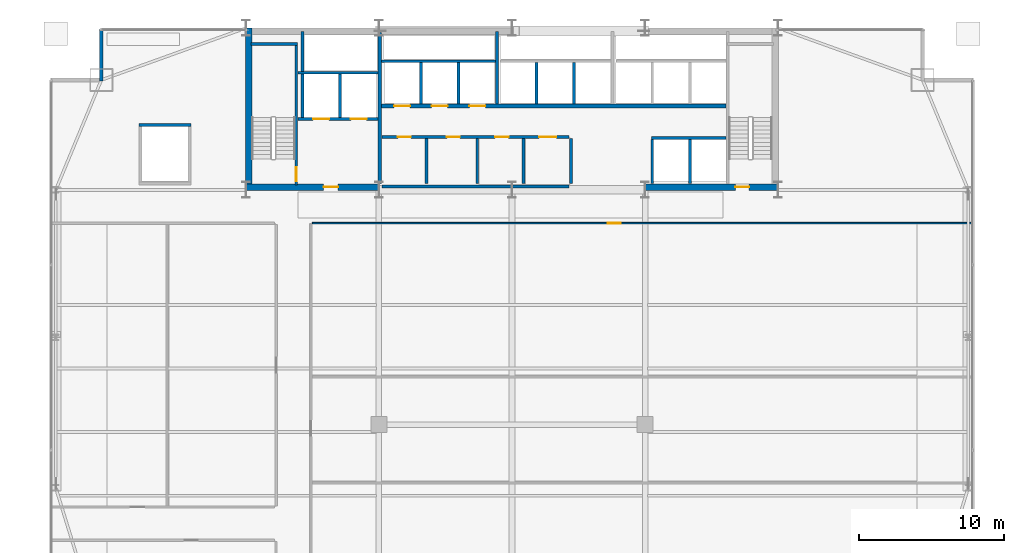
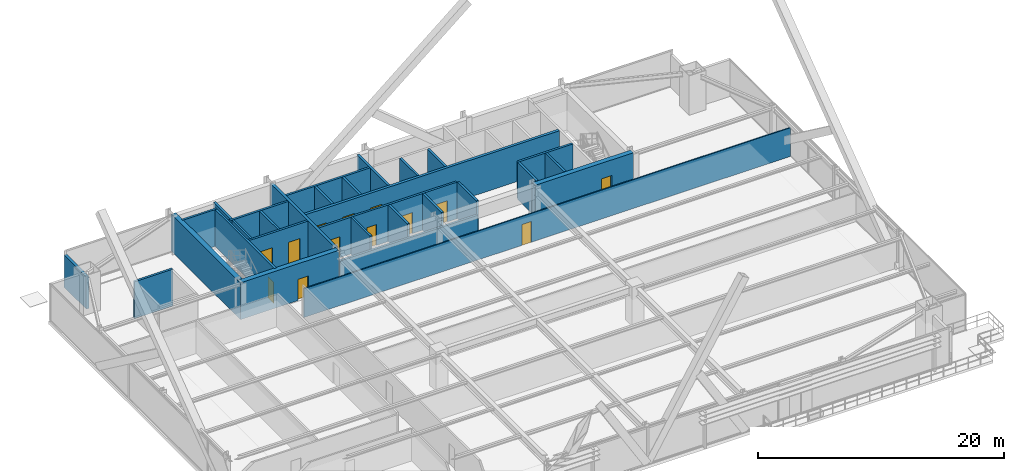
# One storey, part 30 of 34: 29 walls, 13 doors, 13 openings.
"""IFC4 building model written with IfcOpenShell, lengths in metres."""

from ifc_helpers import new_model, si_unit, direction, frame, frame_2d, origin, place, context, subcontext, project, spatial, rectangle, extrude, source, transform, mapped, material, layer, layer_set, type_object, type_shapes, element, fill, save


model = new_model("IFC4")

# Units and contexts
model_context = context("Model", 3, precision=1e-05, world=origin(), true_north=direction((0.0, 1.0)))
body_context = subcontext(model_context, "Body", "Model", "MODEL_VIEW")
ifc_project = project(units=[si_unit("LENGTHUNIT", "METRE"), si_unit("AREAUNIT", "SQUARE_METRE"), si_unit("VOLUMEUNIT", "CUBIC_METRE"), si_unit("PLANEANGLEUNIT", "RADIAN"), si_unit("MASSUNIT", "GRAM", prefix="KILO")], contexts=[model_context])

# Site, building, storey
site_placement = place(None, origin())
site = spatial("IfcSite", under=ifc_project, at=site_placement, CompositionType="ELEMENT")
building_placement = place(site_placement, origin())
building = spatial("IfcBuilding", under=site, at=building_placement, Name="Varnel Quay Broadcast Tower", CompositionType="ELEMENT")
storey_placement = place(building_placement, frame((0.0, 0.0, 27.60009765625)))
storey = spatial("IfcBuildingStorey", under=building, at=storey_placement, Name="L05", CompositionType="ELEMENT", Elevation=27.60009765625)

# Wall, opening, door
ifc_material_1 = material(Name="Concrete CSA A23.3 C50/60", Category="concrete")
ifc_layer_1 = layer(ifc_material_1, 0.199951171875, Name="Concrete CSA A23.3 C50/60")
ifc_layer_set_1 = layer_set([ifc_layer_1], Name="Concrete CSA A23.3 C50/60")
wall_type_1 = type_object("IfcWallType", Name="Wall_CoreShaftShear200", PredefinedType="SHEAR", material=ifc_layer_set_1)
wall_1_placement = place(storey_placement, frame((19.080078125, 35.949951171875, 0.0), z_axis=(0.0, 0.0, 1.0), x_axis=(0.0, 1.0, 0.0)))
wall_1 = element("IfcWall", 1, at=wall_1_placement, inside=storey, type_object=wall_type_1, Name="L05 Stair 1 East Structural Wall", PredefinedType="SHEAR", context=body_context, shape_type="SweptSolid", body=[
    extrude(rectangle(XDim=9.650146484375, YDim=0.199951171875, at=frame_2d((4.8251953125, 0.0))), origin(), (0.0, 0.0, 1.0), 3.64990234375),
])
opening_1_placement = place(wall_1_placement, frame((0.25, 0.0, 0.0)))
opening_1 = element("IfcOpeningElement", 2, at=opening_1_placement, cuts=wall_1, Name="Opening D-L05-S1", PredefinedType="OPENING", context=body_context, shape_type="SweptSolid", body=[
    extrude(rectangle(XDim=0.949951171875, YDim=2.10009765625, at=frame_2d((0.47509765625, 1.050048828125))), frame((0.0, 0.10986328125, 0.0), z_axis=(0.0, -1.0, 0.0), x_axis=(1.0, 0.0, 0.0)), (0.0, 0.0, 1.0), 0.219970703125),
])
ifc_material_2 = material(Name="Insulated Fire-Rated Hollow Steel Door", Category="steel")
door_type_1 = type_object("IfcDoorType", Name="Door_FireStair950", OperationType="NOTDEFINED", PredefinedType="DOOR", material=ifc_material_2)
shared_shape_1 = source(origin(), body_context, "Body", "SweptSolid", [
    extrude(rectangle(XDim=0.949951171875, YDim=2.10009765625, at=frame_2d((0.47509765625, 1.050048828125))), frame((0.0, 0.02490234375, 0.0), z_axis=(0.0, -1.0, 0.0), x_axis=(1.0, 0.0, 0.0)), (0.0, 0.0, 1.0), 0.050048828125),
])
type_shapes(door_type_1, [shared_shape_1])
door_1_placement = place(opening_1_placement, origin())
door_1 = element("IfcDoor", 3, at=door_1_placement, inside=storey, type_object=door_type_1, Name="L05 Stair 1 Fire Door", OperationType="SINGLE_SWING_LEFT", OverallHeight=2.10009765625, OverallWidth=0.949951171875, PredefinedType="DOOR", context=body_context, shape_type="MappedRepresentation", body=[
    mapped(shared_shape_1, transform((0.0, 0.0, 0.0), x_axis=(1.0, 0.0, 0.0), y_axis=(0.0, 1.0, 0.0), z_axis=(0.0, 0.0, 1.0), scale=1.0)),
])
fill(opening_1, door_1)

# Wall
wall_2_placement = place(storey_placement, frame((15.949951171875, 45.679931640625, 0.0), z_axis=(0.0, 0.0, 1.0), x_axis=(1.0, 0.0, 0.0)))
element("IfcWall", 4, at=wall_2_placement, inside=storey, type_object=wall_type_1, Name="L05 Stair 1 North Structural Wall", PredefinedType="SHEAR", context=body_context, shape_type="SweptSolid", body=[
    extrude(rectangle(XDim=3.22998046875, YDim=0.199951171875, at=frame_2d((1.614990234375, 0.0))), origin(), (0.0, 0.0, 1.0), 3.64990234375),
])

# Wall, openings, doors
wall_3_placement = place(storey_placement, frame((19.199951171875, 40.5, 0.0), z_axis=(0.0, 0.0, 1.0), x_axis=(1.0, 0.0, 0.0)))
wall_3 = element("IfcWall", 5, at=wall_3_placement, inside=storey, type_object=wall_type_1, Name="L05 Firefighter Lift Shaft Front Wall", PredefinedType="SHEAR", context=body_context, shape_type="SweptSolid", body=[
    extrude(rectangle(XDim=5.52001953125, YDim=0.199951171875, at=frame_2d((2.760009765625, 0.0))), origin(), (0.0, 0.0, 1.0), 3.64990234375),
])
opening_2_placement = place(wall_3_placement, frame((1.050048828125, 0.0, 0.0)))
opening_2 = element("IfcOpeningElement", 6, at=opening_2_placement, cuts=wall_3, Name="Opening LD-L05-FE1", PredefinedType="OPENING", context=body_context, shape_type="SweptSolid", body=[
    extrude(rectangle(XDim=1.10009765625, YDim=2.179931640625, at=frame_2d((0.550048828125, 1.08984375))), frame((0.0, 0.10986328125, 0.0), z_axis=(0.0, -1.0, 0.0), x_axis=(1.0, 0.0, 0.0)), (0.0, 0.0, 1.0), 0.219970703125),
])
opening_3_placement = place(wall_3_placement, frame((3.64990234375, 0.0, 0.0)))
opening_3 = element("IfcOpeningElement", 7, at=opening_3_placement, cuts=wall_3, Name="Opening LD-L05-FE2", PredefinedType="OPENING", context=body_context, shape_type="SweptSolid", body=[
    extrude(rectangle(XDim=1.10009765625, YDim=2.179931640625, at=frame_2d((0.550048828125, 1.08984375))), frame((0.0, 0.10986328125, 0.0), z_axis=(0.0, -1.0, 0.0), x_axis=(1.0, 0.0, 0.0)), (0.0, 0.0, 1.0), 0.219970703125),
])
ifc_material_3 = material(Name="Brushed Bronze-Stainless Lift Car & Sliding Doors", Category="steel")
door_type_2 = type_object("IfcDoorType", Name="Door_LiftLanding1100", OperationType="SLIDING_TO_LEFT", PredefinedType="DOOR", material=ifc_material_3)
shared_shape_2 = source(origin(), body_context, "Body", "SweptSolid", [
    extrude(rectangle(XDim=1.10009765625, YDim=2.179931640625, at=frame_2d((0.550048828125, 1.08984375))), frame((0.0, 0.02490234375, 0.0), z_axis=(0.0, -1.0, 0.0), x_axis=(1.0, 0.0, 0.0)), (0.0, 0.0, 1.0), 0.050048828125),
])
type_shapes(door_type_2, [shared_shape_2])
door_2_placement = place(opening_2_placement, frame((1.10009765625, 0.0, 0.0), z_axis=(0.0, 0.0, 1.0), x_axis=(-1.0, 0.0, 0.0)))
door_2 = element("IfcDoor", 8, at=door_2_placement, inside=storey, type_object=door_type_2, Name="L05 Firefighter Lift FE-01 Landing Door", OperationType="SLIDING_TO_LEFT", OverallHeight=2.179931640625, OverallWidth=1.10009765625, PredefinedType="DOOR", context=body_context, shape_type="MappedRepresentation", body=[
    mapped(shared_shape_2, transform((0.0, 0.0, 0.0), x_axis=(1.0, 0.0, 0.0), y_axis=(0.0, 1.0, 0.0), z_axis=(0.0, 0.0, 1.0), scale=1.0)),
])
fill(opening_2, door_2)
door_3_placement = place(opening_3_placement, frame((1.10009765625, 0.0, 0.0), z_axis=(0.0, 0.0, 1.0), x_axis=(-1.0, 0.0, 0.0)))
door_3 = element("IfcDoor", 9, at=door_3_placement, inside=storey, type_object=door_type_2, Name="L05 Firefighter Lift FE-02 Landing Door", OperationType="SLIDING_TO_RIGHT", OverallHeight=2.179931640625, OverallWidth=1.10009765625, PredefinedType="DOOR", context=body_context, shape_type="MappedRepresentation", body=[
    mapped(shared_shape_2, transform((0.0, 0.0, 0.0), x_axis=(1.0, 0.0, 0.0), y_axis=(0.0, 1.0, 0.0), z_axis=(0.0, 0.0, 1.0), scale=1.0)),
])
fill(opening_3, door_3)

# Walls
wall_4_placement = place(storey_placement, frame((19.199951171875, 43.699951171875, 0.0), z_axis=(0.0, 0.0, 1.0), x_axis=(1.0, 0.0, 0.0)))
element("IfcWall", 10, at=wall_4_placement, inside=storey, type_object=wall_type_1, Name="L05 Firefighter Lift Shaft Rear Wall", PredefinedType="SHEAR", context=body_context, shape_type="SweptSolid", body=[
    extrude(rectangle(XDim=5.52001953125, YDim=0.199951171875, at=frame_2d((2.760009765625, 0.0))), origin(), (0.0, 0.0, 1.0), 3.64990234375),
])
wall_5_placement = place(storey_placement, frame((22.10009765625, 40.60009765625, 0.0), z_axis=(0.0, 0.0, 1.0), x_axis=(0.0, 1.0, 0.0)))
element("IfcWall", 11, at=wall_5_placement, inside=storey, type_object=wall_type_1, Name="L05 Firefighter Lift Shaft Divider", PredefinedType="SHEAR", context=body_context, shape_type="SweptSolid", body=[
    extrude(rectangle(XDim=3.0, YDim=0.199951171875, at=frame_2d((1.5, 0.0))), origin(), (0.0, 0.0, 1.0), 3.64990234375),
])
wall_6_placement = place(storey_placement, frame((19.5, 40.60009765625, 0.0), z_axis=(0.0, 0.0, 1.0), x_axis=(0.0, 1.0, 0.0)))
element("IfcWall", 12, at=wall_6_placement, inside=storey, type_object=wall_type_1, Name="L05 Firefighter Lift Shaft West Wall", PredefinedType="SHEAR", context=body_context, shape_type="SweptSolid", body=[
    extrude(rectangle(XDim=5.949951171875, YDim=0.199951171875, at=frame_2d((2.97509765625, 0.0))), origin(), (0.0, 0.0, 1.0), 3.64990234375),
])
wall_7_placement = place(storey_placement, frame((24.97998046875, 44.5, 0.0), z_axis=(0.0, 0.0, 1.0), x_axis=(1.0, 0.0, 0.0)))
element("IfcWall", 13, at=wall_7_placement, inside=storey, type_object=wall_type_1, Name="L05 Low-Rise Lift Shaft Rear Wall", PredefinedType="SHEAR", context=body_context, shape_type="SweptSolid", body=[
    extrude(rectangle(XDim=7.8701171875, YDim=0.199951171875, at=frame_2d((3.93505859375, 0.0))), origin(), (0.0, 0.0, 1.0), 3.64990234375),
])
for number, where, z_axis, x_axis, name in (
    (14, (27.699951171875, 41.530029296875, 0.0), (0.0, 0.0, 1.0), (0.0, 1.0, 0.0), "L05 Low-Rise Lift Shaft Divider 1"),
    (15, (30.300048828125, 41.530029296875, 0.0), (0.0, 0.0, 1.0), (0.0, 1.0, 0.0), "L05 Low-Rise Lift Shaft Divider 2"),
):
    element("IfcWall", number, at=place(storey_placement, frame(where, z_axis=z_axis, x_axis=x_axis)), inside=storey, type_object=wall_type_1, Name=name, PredefinedType="SHEAR", context=body_context, shape_type="SweptSolid", body=[
        extrude(rectangle(XDim=2.869873046875, YDim=0.199951171875, at=frame_2d((1.43505859375, 0.0))), origin(), (0.0, 0.0, 1.0), 3.64990234375),
    ])
wall_8_placement = place(storey_placement, frame((32.949951171875, 41.530029296875, 0.0), z_axis=(0.0, 0.0, 1.0), x_axis=(0.0, 1.0, 0.0)))
element("IfcWall", 16, at=wall_8_placement, inside=storey, type_object=wall_type_1, Name="L05 Low-Rise Lift Shaft Divider 3", PredefinedType="SHEAR", context=body_context, shape_type="SweptSolid", body=[
    extrude(rectangle(XDim=5.02001953125, YDim=0.199951171875, at=frame_2d((2.510009765625, 0.0))), origin(), (0.0, 0.0, 1.0), 3.64990234375),
])
for number, where, z_axis, x_axis, name in (
    (17, (35.699951171875, 41.530029296875, 0.0), (0.0, 0.0, 1.0), (0.0, 1.0, 0.0), "L05 Mid-Rise Lift Shaft Divider 2"),
    (18, (38.300048828125, 41.530029296875, 0.0), (0.0, 0.0, 1.0), (0.0, 1.0, 0.0), "L05 Mid-Rise Lift Shaft Divider 3"),
):
    element("IfcWall", number, at=place(storey_placement, frame(where, z_axis=z_axis, x_axis=x_axis)), inside=storey, type_object=wall_type_1, Name=name, PredefinedType="SHEAR", context=body_context, shape_type="SweptSolid", body=[
        extrude(rectangle(XDim=2.869873046875, YDim=0.199951171875, at=frame_2d((1.43505859375, 0.0))), origin(), (0.0, 0.0, 1.0), 3.64990234375),
    ])
for number, where, z_axis, x_axis, name in (
    (19, (43.699951171875, 36.050048828125, 0.0), (0.0, 0.0, 1.0), (0.0, 1.0, 0.0), "L05 Express Lift Shaft West Wall"),
    (20, (46.300048828125, 36.050048828125, 0.0), (0.0, 0.0, 1.0), (0.0, 1.0, 0.0), "L05 Express Lift Shaft Divider"),
):
    element("IfcWall", number, at=place(storey_placement, frame(where, z_axis=z_axis, x_axis=x_axis)), inside=storey, type_object=wall_type_1, Name=name, PredefinedType="SHEAR", context=body_context, shape_type="SweptSolid", body=[
        extrude(rectangle(XDim=3.050048828125, YDim=0.199951171875, at=frame_2d((1.52490234375, 0.0))), origin(), (0.0, 0.0, 1.0), 3.64990234375),
    ])
wall_9_placement = place(storey_placement, frame((43.64990234375, 39.199951171875, 0.0), z_axis=(0.0, 0.0, 1.0), x_axis=(1.0, 0.0, 0.0)))
element("IfcWall", 21, at=wall_9_placement, inside=storey, type_object=wall_type_1, Name="L05 Express Lift Shaft North Front Wall", PredefinedType="SHEAR", context=body_context, shape_type="SweptSolid", body=[
    extrude(rectangle(XDim=5.150146484375, YDim=0.199951171875, at=frame_2d((2.5751953125, 0.0))), origin(), (0.0, 0.0, 1.0), 3.64990234375),
])
wall_10_placement = place(storey_placement, frame((8.199951171875, 40.10009765625, 0.0), z_axis=(0.0, 0.0, 1.0), x_axis=(1.0, 0.0, 0.0)))
element("IfcWall", 22, at=wall_10_placement, inside=storey, type_object=wall_type_1, Name="L05 Freight Lift Shaft N Wall", PredefinedType="SHEAR", context=body_context, shape_type="SweptSolid", body=[
    extrude(rectangle(XDim=3.60009765625, YDim=0.199951171875, at=frame_2d((1.800048828125, 0.0))), origin(), (0.0, 0.0, 1.0), 3.64990234375),
])
ifc_layer_2 = layer(ifc_material_1, 0.25, Name="Concrete CSA A23.3 C50/60")
ifc_layer_set_2 = layer_set([ifc_layer_2], Name="Concrete CSA A23.3 C50/60")
wall_type_2 = type_object("IfcWallType", Name="Wall_CoreShaftShear250", PredefinedType="SHEAR", material=ifc_layer_set_2)
wall_11_placement = place(storey_placement, frame((24.85009765625, 36.050048828125, 0.0), z_axis=(0.0, 0.0, 1.0), x_axis=(0.0, 1.0, 0.0)))
element("IfcWall", 23, at=wall_11_placement, inside=storey, type_object=wall_type_2, Name="L05 Firefighting Lobby East Structural Wall", PredefinedType="SHEAR", context=body_context, shape_type="SweptSolid", body=[
    extrude(rectangle(XDim=10.449951171875, YDim=0.25, at=frame_2d((5.22509765625, 0.0))), origin(), (0.0, 0.0, 1.0), 3.64990234375),
])

# Wall, openings, doors
wall_12_placement = place(storey_placement, frame((24.97998046875, 41.39990234375, 0.0), z_axis=(0.0, 0.0, 1.0), x_axis=(1.0, 0.0, 0.0)))
wall_12 = element("IfcWall", 24, at=wall_12_placement, inside=storey, type_object=wall_type_2, Name="L05 North Lift Bank & Reclaimed Suite Wall", PredefinedType="SHEAR", context=body_context, shape_type="SweptSolid", body=[
    extrude(rectangle(XDim=23.820068359375, YDim=0.25, at=frame_2d((11.91015625, 0.0))), origin(), (0.0, 0.0, 1.0), 3.64990234375),
])
opening_4_placement = place(wall_12_placement, frame((0.8701171875, 0.0, 0.0)))
opening_4 = element("IfcOpeningElement", 25, at=opening_4_placement, cuts=wall_12, Name="Opening LD-L05-PL-01", PredefinedType="OPENING", context=body_context, shape_type="SweptSolid", body=[
    extrude(rectangle(XDim=1.10009765625, YDim=2.179931640625, at=frame_2d((0.550048828125, 1.08984375))), frame((0.0, 0.135009765625, 0.0), z_axis=(0.0, -1.0, 0.0), x_axis=(1.0, 0.0, 0.0)), (0.0, 0.0, 1.0), 0.27001953125),
])
opening_5_placement = place(wall_12_placement, frame((3.469970703125, 0.0, 0.0)))
opening_5 = element("IfcOpeningElement", 26, at=opening_5_placement, cuts=wall_12, Name="Opening LD-L05-PL-02", PredefinedType="OPENING", context=body_context, shape_type="SweptSolid", body=[
    extrude(rectangle(XDim=1.10009765625, YDim=2.179931640625, at=frame_2d((0.550048828125, 1.08984375))), frame((0.0, 0.135009765625, 0.0), z_axis=(0.0, -1.0, 0.0), x_axis=(1.0, 0.0, 0.0)), (0.0, 0.0, 1.0), 0.27001953125),
])
opening_6_placement = place(wall_12_placement, frame((6.070068359375, 0.0, 0.0)))
opening_6 = element("IfcOpeningElement", 27, at=opening_6_placement, cuts=wall_12, Name="Opening LD-L05-PL-03", PredefinedType="OPENING", context=body_context, shape_type="SweptSolid", body=[
    extrude(rectangle(XDim=1.10009765625, YDim=2.179931640625, at=frame_2d((0.550048828125, 1.08984375))), frame((0.0, 0.135009765625, 0.0), z_axis=(0.0, -1.0, 0.0), x_axis=(1.0, 0.0, 0.0)), (0.0, 0.0, 1.0), 0.27001953125),
])
door_4_placement = place(opening_4_placement, frame((1.10009765625, 0.0, 0.0), z_axis=(0.0, 0.0, 1.0), x_axis=(-1.0, 0.0, 0.0)))
door_4 = element("IfcDoor", 28, at=door_4_placement, inside=storey, type_object=door_type_2, Name="L05 Lift PL-01 Landing Door", OperationType="SLIDING_TO_LEFT", OverallHeight=2.179931640625, OverallWidth=1.10009765625, PredefinedType="DOOR", context=body_context, shape_type="MappedRepresentation", body=[
    mapped(shared_shape_2, transform((0.0, 0.0, 0.0), x_axis=(1.0, 0.0, 0.0), y_axis=(0.0, 1.0, 0.0), z_axis=(0.0, 0.0, 1.0), scale=1.0)),
])
fill(opening_4, door_4)
door_5_placement = place(opening_5_placement, frame((1.10009765625, 0.0, 0.0), z_axis=(0.0, 0.0, 1.0), x_axis=(-1.0, 0.0, 0.0)))
door_5 = element("IfcDoor", 29, at=door_5_placement, inside=storey, type_object=door_type_2, Name="L05 Lift PL-02 Landing Door", OperationType="SLIDING_TO_LEFT", OverallHeight=2.179931640625, OverallWidth=1.10009765625, PredefinedType="DOOR", context=body_context, shape_type="MappedRepresentation", body=[
    mapped(shared_shape_2, transform((0.0, 0.0, 0.0), x_axis=(1.0, 0.0, 0.0), y_axis=(0.0, 1.0, 0.0), z_axis=(0.0, 0.0, 1.0), scale=1.0)),
])
fill(opening_5, door_5)
door_6_placement = place(opening_6_placement, frame((1.10009765625, 0.0, 0.0), z_axis=(0.0, 0.0, 1.0), x_axis=(-1.0, 0.0, 0.0)))
door_6 = element("IfcDoor", 30, at=door_6_placement, inside=storey, type_object=door_type_2, Name="L05 Lift PL-03 Landing Door", OperationType="SLIDING_TO_LEFT", OverallHeight=2.179931640625, OverallWidth=1.10009765625, PredefinedType="DOOR", context=body_context, shape_type="MappedRepresentation", body=[
    mapped(shared_shape_2, transform((0.0, 0.0, 0.0), x_axis=(1.0, 0.0, 0.0), y_axis=(0.0, 1.0, 0.0), z_axis=(0.0, 0.0, 1.0), scale=1.0)),
])
fill(opening_6, door_6)

# Wall
ifc_material_4 = material(Name="Concrete CSA A23.3 C60/75", Category="concrete")
ifc_layer_3 = layer(ifc_material_4, 0.449951171875, Name="Concrete CSA A23.3 C60/75")
ifc_layer_set_3 = layer_set([ifc_layer_3], Name="Concrete CSA A23.3 C60/75")
wall_type_3 = type_object("IfcWallType", Name="Wall_CoreShearInt450", PredefinedType="SHEAR", material=ifc_layer_set_3)
wall_13_placement = place(storey_placement, frame((15.794921875, 35.570068359375, 0.0), z_axis=(0.0, 0.0, 1.0), x_axis=(0.0, 1.0, 0.0)))
element("IfcWall", 31, at=wall_13_placement, inside=storey, type_object=wall_type_3, Name="L05 West Core Shear Wall", PredefinedType="SHEAR", context=body_context, shape_type="SweptSolid", body=[
    extrude(rectangle(XDim=11.22998046875, YDim=0.449951171875, at=frame_2d((5.614990234375, 0.0))), origin(), (0.0, 0.0, 1.0), 3.64990234375),
])

# Wall, opening, door
wall_14_placement = place(storey_placement, frame((15.570068359375, 35.794921875, 0.0), z_axis=(0.0, 0.0, 1.0), x_axis=(1.0, 0.0, 0.0)))
wall_14 = element("IfcWall", 32, at=wall_14_placement, inside=storey, type_object=wall_type_3, Name="L05 South-West Core Shear Wall", PredefinedType="SHEAR", context=body_context, shape_type="SweptSolid", body=[
    extrude(rectangle(XDim=9.22998046875, YDim=0.449951171875, at=frame_2d((4.614990234375, 0.0))), origin(), (0.0, 0.0, 1.0), 3.64990234375),
])
opening_7_placement = place(wall_14_placement, frame((5.39990234375, 0.0, 0.0)))
opening_7 = element("IfcOpeningElement", 33, at=opening_7_placement, cuts=wall_14, Name="Opening D-L05-FFL", PredefinedType="OPENING", context=body_context, shape_type="SweptSolid", body=[
    extrude(rectangle(XDim=1.0, YDim=2.10009765625, at=frame_2d((0.5, 1.050048828125))), frame((0.0, 0.23486328125, 0.0), z_axis=(0.0, -1.0, 0.0), x_axis=(1.0, 0.0, 0.0)), (0.0, 0.0, 1.0), 0.469970703125),
])
door_type_3 = type_object("IfcDoorType", Name="Door_FireLobby1000", OperationType="NOTDEFINED", PredefinedType="DOOR", material=ifc_material_2)
shared_shape_3 = source(origin(), body_context, "Body", "SweptSolid", [
    extrude(rectangle(XDim=1.0, YDim=2.10009765625, at=frame_2d((0.5, 1.050048828125))), frame((0.0, 0.02490234375, 0.0), z_axis=(0.0, -1.0, 0.0), x_axis=(1.0, 0.0, 0.0)), (0.0, 0.0, 1.0), 0.050048828125),
])
type_shapes(door_type_3, [shared_shape_3])
door_7_placement = place(opening_7_placement, origin())
door_7 = element("IfcDoor", 34, at=door_7_placement, inside=storey, type_object=door_type_3, Name="L05 Firefighting Lobby Door", OperationType="SINGLE_SWING_RIGHT", OverallHeight=2.10009765625, OverallWidth=1.0, PredefinedType="DOOR", context=body_context, shape_type="MappedRepresentation", body=[
    mapped(shared_shape_3, transform((0.0, 0.0, 0.0), x_axis=(1.0, 0.0, 0.0), y_axis=(0.0, 1.0, 0.0), z_axis=(0.0, 0.0, 1.0), scale=1.0)),
])
fill(opening_7, door_7)

wall_15_placement = place(storey_placement, frame((43.199951171875, 35.794921875, 0.0), z_axis=(0.0, 0.0, 1.0), x_axis=(1.0, 0.0, 0.0)))
wall_15 = element("IfcWall", 35, at=wall_15_placement, inside=storey, type_object=wall_type_3, Name="L05 South-East Core Shear Wall", PredefinedType="SHEAR", context=body_context, shape_type="SweptSolid", body=[
    extrude(rectangle(XDim=9.22998046875, YDim=0.449951171875, at=frame_2d((4.614990234375, 0.0))), origin(), (0.0, 0.0, 1.0), 3.64990234375),
])
opening_8_placement = place(wall_15_placement, frame((6.25, 0.0, 0.0)))
opening_8 = element("IfcOpeningElement", 36, at=opening_8_placement, cuts=wall_15, Name="Opening D-L05-S2", PredefinedType="OPENING", context=body_context, shape_type="SweptSolid", body=[
    extrude(rectangle(XDim=0.949951171875, YDim=2.10009765625, at=frame_2d((0.47509765625, 1.050048828125))), frame((0.0, 0.23486328125, 0.0), z_axis=(0.0, -1.0, 0.0), x_axis=(1.0, 0.0, 0.0)), (0.0, 0.0, 1.0), 0.469970703125),
])
door_8_placement = place(opening_8_placement, origin())
door_8 = element("IfcDoor", 37, at=door_8_placement, inside=storey, type_object=door_type_1, Name="L05 Stair 2 Fire Door", OperationType="SINGLE_SWING_LEFT", OverallHeight=2.10009765625, OverallWidth=0.949951171875, PredefinedType="DOOR", context=body_context, shape_type="MappedRepresentation", body=[
    mapped(shared_shape_1, transform((0.0, 0.0, 0.0), x_axis=(1.0, 0.0, 0.0), y_axis=(0.0, 1.0, 0.0), z_axis=(0.0, 0.0, 1.0), scale=1.0)),
])
fill(opening_8, door_8)

# Walls
ifc_material_5 = material(Name="Precast Architectural Concrete C40/50", Category="concrete")
ifc_layer_4 = layer(ifc_material_5, 0.25, Name="Precast Architectural Concrete C40/50")
ifc_layer_set_4 = layer_set([ifc_layer_4], Name="Precast Architectural Concrete C40/50")
wall_type_4 = type_object("IfcWallType", Name="Wall_ExtTerrace250", PredefinedType="SOLIDWALL", material=ifc_layer_set_4)
wall_16_placement = place(storey_placement, frame((5.60009765625, 43.1201171875, 0.0), z_axis=(0.0, 0.0, 1.0), x_axis=(0.0, 1.0, 0.0)))
element("IfcWall", 38, at=wall_16_placement, inside=storey, type_object=wall_type_4, Name="L05 Mega-Column Notch Cladding Wall NNW2", PredefinedType="SOLIDWALL", context=body_context, shape_type="SweptSolid", body=[
    extrude(rectangle(XDim=3.599853515625, YDim=0.25, at=frame_2d((1.7998046875, 0.0))), origin(), (0.0, 0.0, 1.0), 3.2080078125),
])
ifc_material_6 = material(Name="Concrete Blockwork Fire Enclosure C40/50", Category="masonry")
ifc_layer_5 = layer(ifc_material_6, 0.199951171875, Name="Concrete Blockwork Fire Enclosure C40/50")
ifc_layer_set_5 = layer_set([ifc_layer_5], Name="Concrete Blockwork Fire Enclosure C40/50")
wall_type_5 = type_object("IfcWallType", Name="Wall_FireShaft200", PredefinedType="SOLIDWALL", material=ifc_layer_set_5)
wall_17_placement = place(storey_placement, frame((25.0, 35.824951171875, 0.0), z_axis=(0.0, 0.0, 1.0), x_axis=(1.0, 0.0, 0.0)))
element("IfcWall", 39, at=wall_17_placement, inside=storey, type_object=wall_type_5, Name="L05 Accessible Universal Washroom Partition 1", PredefinedType="SOLIDWALL", context=body_context, shape_type="SweptSolid", body=[
    extrude(rectangle(XDim=12.949951171875, YDim=0.199951171875, at=frame_2d((6.47509765625, 0.0))), origin(), (0.0, 0.0, 1.0), 2.4248046875),
])

# Wall, openings, doors
wall_18_placement = place(storey_placement, frame((25.0, 39.25, 0.0), z_axis=(0.0, 0.0, 1.0), x_axis=(1.0, 0.0, 0.0)))
wall_18 = element("IfcWall", 40, at=wall_18_placement, inside=storey, type_object=wall_type_5, Name="L05 Accessible Universal Washroom Partition 3", PredefinedType="SOLIDWALL", context=body_context, shape_type="SweptSolid", body=[
    extrude(rectangle(XDim=12.949951171875, YDim=0.199951171875, at=frame_2d((6.47509765625, 0.0))), origin(), (0.0, 0.0, 1.0), 3.6298828125),
])
opening_9_placement = place(wall_18_placement, frame((1.10009765625, 0.0, 0.0)))
opening_9 = element("IfcOpeningElement", 41, at=opening_9_placement, cuts=wall_18, Name="Opening D-L05-01", PredefinedType="OPENING", context=body_context, shape_type="SweptSolid", body=[
    extrude(rectangle(XDim=0.89990234375, YDim=2.06005859375, at=frame_2d((0.449951171875, 1.030029296875))), frame((0.0, 0.10986328125, 0.0), z_axis=(0.0, -1.0, 0.0), x_axis=(1.0, 0.0, 0.0)), (0.0, 0.0, 1.0), 0.219970703125),
])
opening_10_placement = place(wall_18_placement, frame((4.5, 0.0, 0.0)))
opening_10 = element("IfcOpeningElement", 42, at=opening_10_placement, cuts=wall_18, Name="Opening D-L05-02", PredefinedType="OPENING", context=body_context, shape_type="SweptSolid", body=[
    extrude(rectangle(XDim=0.89990234375, YDim=2.06005859375, at=frame_2d((0.449951171875, 1.030029296875))), frame((0.0, 0.10986328125, 0.0), z_axis=(0.0, -1.0, 0.0), x_axis=(1.0, 0.0, 0.0)), (0.0, 0.0, 1.0), 0.219970703125),
])
opening_11_placement = place(wall_18_placement, frame((7.840087890625, 0.0, 0.0)))
opening_11 = element("IfcOpeningElement", 43, at=opening_11_placement, cuts=wall_18, Name="Opening D-L05-03", PredefinedType="OPENING", context=body_context, shape_type="SweptSolid", body=[
    extrude(rectangle(XDim=0.919921875, YDim=2.080078125, at=frame_2d((0.4599609375, 1.0400390625))), frame((0.0, 0.10986328125, 0.0), z_axis=(0.0, -1.0, 0.0), x_axis=(1.0, 0.0, 0.0)), (0.0, 0.0, 1.0), 0.219970703125),
])
opening_12_placement = place(wall_18_placement, frame((10.875, 0.0, 0.0)))
opening_12 = element("IfcOpeningElement", 44, at=opening_12_placement, cuts=wall_18, Name="Opening D-L05-04", PredefinedType="OPENING", context=body_context, shape_type="SweptSolid", body=[
    extrude(rectangle(XDim=1.199951171875, YDim=2.10009765625, at=frame_2d((0.60009765625, 1.050048828125))), frame((0.0, 0.10986328125, 0.0), z_axis=(0.0, -1.0, 0.0), x_axis=(1.0, 0.0, 0.0)), (0.0, 0.0, 1.0), 0.219970703125),
])
ifc_material_7 = material(Name="Solid-Core Fire-Rated Acoustic Oak Veneer Door", Category="wood")
door_type_4 = type_object("IfcDoorType", Name="Door_Washroom900", OperationType="NOTDEFINED", PredefinedType="DOOR", material=ifc_material_7)
shared_shape_4 = source(origin(), body_context, "Body", "SweptSolid", [
    extrude(rectangle(XDim=0.89990234375, YDim=2.06005859375, at=frame_2d((0.449951171875, 1.030029296875))), frame((0.0, 0.02490234375, 0.0), z_axis=(0.0, -1.0, 0.0), x_axis=(1.0, 0.0, 0.0)), (0.0, 0.0, 1.0), 0.050048828125),
])
type_shapes(door_type_4, [shared_shape_4])
door_9_placement = place(opening_9_placement, frame((0.89990234375, 0.0, 0.0), z_axis=(0.0, 0.0, 1.0), x_axis=(-1.0, 0.0, 0.0)))
door_9 = element("IfcDoor", 45, at=door_9_placement, inside=storey, type_object=door_type_4, Name="L05 Accessible Universal Washroom Door D-L05-01", OperationType="SINGLE_SWING_RIGHT", OverallHeight=2.06005859375, OverallWidth=0.89990234375, PredefinedType="DOOR", context=body_context, shape_type="MappedRepresentation", body=[
    mapped(shared_shape_4, transform((0.0, 0.0, 0.0), x_axis=(1.0, 0.0, 0.0), y_axis=(0.0, 1.0, 0.0), z_axis=(0.0, 0.0, 1.0), scale=1.0)),
])
fill(opening_9, door_9)
door_10_placement = place(opening_10_placement, frame((0.89990234375, 0.0, 0.0), z_axis=(0.0, 0.0, 1.0), x_axis=(-1.0, 0.0, 0.0)))
door_10 = element("IfcDoor", 46, at=door_10_placement, inside=storey, type_object=door_type_4, Name="L05 Staff Washroom Block Door D-L05-02", OperationType="SINGLE_SWING_LEFT", OverallHeight=2.06005859375, OverallWidth=0.89990234375, PredefinedType="DOOR", context=body_context, shape_type="MappedRepresentation", body=[
    mapped(shared_shape_4, transform((0.0, 0.0, 0.0), x_axis=(1.0, 0.0, 0.0), y_axis=(0.0, 1.0, 0.0), z_axis=(0.0, 0.0, 1.0), scale=1.0)),
])
fill(opening_10, door_10)
door_type_5 = type_object("IfcDoorType", Name="Door_Plant1200", OperationType="NOTDEFINED", PredefinedType="DOOR", material=ifc_material_2)
shared_shape_5 = source(origin(), body_context, "Body", "SweptSolid", [
    extrude(rectangle(XDim=1.199951171875, YDim=2.10009765625, at=frame_2d((0.60009765625, 1.050048828125))), frame((0.0, 0.02490234375, 0.0), z_axis=(0.0, -1.0, 0.0), x_axis=(1.0, 0.0, 0.0)), (0.0, 0.0, 1.0), 0.050048828125),
])
type_shapes(door_type_5, [shared_shape_5])
door_11_placement = place(opening_12_placement, origin())
door_11 = element("IfcDoor", 47, at=door_11_placement, inside=storey, type_object=door_type_5, Name="L05 Zone Lighting Dimmer Room Door D-L05-04", OperationType="SINGLE_SWING_LEFT", OverallHeight=2.10009765625, OverallWidth=1.199951171875, PredefinedType="DOOR", context=body_context, shape_type="MappedRepresentation", body=[
    mapped(shared_shape_5, transform((0.0, 0.0, 0.0), x_axis=(1.0, 0.0, 0.0), y_axis=(0.0, 1.0, 0.0), z_axis=(0.0, 0.0, 1.0), scale=1.0)),
])
fill(opening_12, door_11)
door_type_6 = type_object("IfcDoorType", Name="Door_Office920", OperationType="NOTDEFINED", PredefinedType="DOOR", material=ifc_material_7)
shared_shape_6 = source(origin(), body_context, "Body", "SweptSolid", [
    extrude(rectangle(XDim=0.919921875, YDim=2.080078125, at=frame_2d((0.4599609375, 1.0400390625))), frame((0.0, 0.02490234375, 0.0), z_axis=(0.0, -1.0, 0.0), x_axis=(1.0, 0.0, 0.0)), (0.0, 0.0, 1.0), 0.050048828125),
])
type_shapes(door_type_6, [shared_shape_6])
door_12_placement = place(opening_11_placement, frame((0.919921875, 0.0, 0.0), z_axis=(0.0, 0.0, 1.0), x_axis=(-1.0, 0.0, 0.0)))
door_12 = element("IfcDoor", 48, at=door_12_placement, inside=storey, type_object=door_type_6, Name="L05 Broadcast First-Aid & Quiet Room Door D-L05-03", OperationType="SINGLE_SWING_RIGHT", OverallHeight=2.080078125, OverallWidth=0.919921875, PredefinedType="DOOR", context=body_context, shape_type="MappedRepresentation", body=[
    mapped(shared_shape_6, transform((0.0, 0.0, 0.0), x_axis=(1.0, 0.0, 0.0), y_axis=(0.0, 1.0, 0.0), z_axis=(0.0, 0.0, 1.0), scale=1.0)),
])
fill(opening_11, door_12)

# Walls
for number, where, z_axis, x_axis, name in (
    (49, (34.800048828125, 36.050048828125, 0.0), (0.0, 0.0, 1.0), (0.0, 1.0, 0.0), "L05 Broadcast First-Aid & Quiet Room Partition 5"),
    (50, (38.074951171875, 36.050048828125, 0.0), (0.0, 0.0, 1.0), (0.0, 1.0, 0.0), "L05 Zone Lighting Dimmer Room Partition 6"),
):
    element("IfcWall", number, at=place(storey_placement, frame(where, z_axis=z_axis, x_axis=x_axis)), inside=storey, type_object=wall_type_5, Name=name, PredefinedType="SOLIDWALL", context=body_context, shape_type="SweptSolid", body=[
        extrude(rectangle(XDim=3.099853515625, YDim=0.199951171875, at=frame_2d((1.5498046875, 0.0))), origin(), (0.0, 0.0, 1.0), 3.6298828125),
    ])

# Wall, opening, door
ifc_material_8 = material(Name="Steel-Stud Fire-Rated Acoustic Gypsum Partition Assembly", Category="steel")
ifc_layer_6 = layer(ifc_material_8, 0.10498046875, Name="Steel-Stud Fire-Rated Acoustic Gypsum Partition Assembly")
ifc_layer_set_6 = layer_set([ifc_layer_6], Name="Steel-Stud Fire-Rated Acoustic Gypsum Partition Assembly")
wall_type_6 = type_object("IfcWallType", Name="Wall_Partition105", PredefinedType="PARTITIONING", material=ifc_layer_set_6)
wall_19_placement = place(storey_placement, frame((20.18994140625, 33.300048828125, 0.0), z_axis=(0.0, 0.0, 1.0), x_axis=(1.0, 0.0, 0.0)))
wall_19 = element("IfcWall", 51, at=wall_19_placement, inside=storey, type_object=wall_type_6, Name="L05 Camera Locker Store 6 Partition 16", PredefinedType="PARTITIONING", context=body_context, shape_type="SweptSolid", body=[
    extrude(rectangle(XDim=45.630126953125, YDim=0.10498046875, at=frame_2d((22.81494140625, 0.0))), origin(), (0.0, 0.0, 1.0), 2.851806640625),
])
opening_13_placement = place(wall_19_placement, frame((20.43994140625, 0.0, 0.0)))
opening_13 = element("IfcOpeningElement", 52, at=opening_13_placement, cuts=wall_19, Name="Opening D-L05-10", PredefinedType="OPENING", context=body_context, shape_type="SweptSolid", body=[
    extrude(rectangle(XDim=0.8798828125, YDim=2.06005859375, at=frame_2d((0.43994140625, 1.030029296875))), frame((0.0, 0.0625, 0.0), z_axis=(0.0, -1.0, 0.0), x_axis=(1.0, 0.0, 0.0)), (0.0, 0.0, 1.0), 0.125),
])
door_type_7 = type_object("IfcDoorType", Name="Door_Booth880", OperationType="NOTDEFINED", PredefinedType="DOOR", material=ifc_material_7)
shared_shape_7 = source(origin(), body_context, "Body", "SweptSolid", [
    extrude(rectangle(XDim=0.8798828125, YDim=2.06005859375, at=frame_2d((0.43994140625, 1.030029296875))), frame((0.0, 0.02490234375, 0.0), z_axis=(0.0, -1.0, 0.0), x_axis=(1.0, 0.0, 0.0)), (0.0, 0.0, 1.0), 0.050048828125),
])
type_shapes(door_type_7, [shared_shape_7])
door_13_placement = place(opening_13_placement, frame((0.8798828125, 0.0, 0.0), z_axis=(0.0, 0.0, 1.0), x_axis=(-1.0, 0.0, 0.0)))
door_13 = element("IfcDoor", 53, at=door_13_placement, inside=storey, type_object=door_type_7, Name="L05 Camera Locker Store 6 Door D-L05-10", OperationType="SINGLE_SWING_LEFT", OverallHeight=2.06005859375, OverallWidth=0.8798828125, PredefinedType="DOOR", context=body_context, shape_type="MappedRepresentation", body=[
    mapped(shared_shape_7, transform((0.0, 0.0, 0.0), x_axis=(1.0, 0.0, 0.0), y_axis=(0.0, 1.0, 0.0), z_axis=(0.0, 0.0, 1.0), scale=1.0)),
])
fill(opening_13, door_13)

# Walls
ifc_material_9 = material(Name="Fire-Rated Moisture-Resistant Plumbing Chase Partition")
ifc_layer_7 = layer(ifc_material_9, 0.199951171875, Name="Fire-Rated Moisture-Resistant Plumbing Chase Partition")
ifc_layer_set_7 = layer_set([ifc_layer_7], Name="Fire-Rated Moisture-Resistant Plumbing Chase Partition")
wall_type_7 = type_object("IfcWallType", Name="Wall_Plumbing200", PredefinedType="PLUMBINGWALL", material=ifc_layer_set_7)
for number, where, z_axis, x_axis, name in (
    (54, (28.10009765625, 36.050048828125, 0.0), (0.0, 0.0, 1.0), (0.0, 1.0, 0.0), "L05 Accessible Universal Washroom Partition 2"),
    (55, (31.60009765625, 36.050048828125, 0.0), (0.0, 0.0, 1.0), (0.0, 1.0, 0.0), "L05 Staff Washroom Block Partition 4"),
):
    element("IfcWall", number, at=place(storey_placement, frame(where, z_axis=z_axis, x_axis=x_axis)), inside=storey, type_object=wall_type_7, Name=name, PredefinedType="PLUMBINGWALL", context=body_context, shape_type="SweptSolid", body=[
        extrude(rectangle(XDim=3.099853515625, YDim=0.199951171875, at=frame_2d((1.5498046875, 0.0))), origin(), (0.0, 0.0, 1.0), 3.6298828125),
    ])

save(model, "model.ifc")
